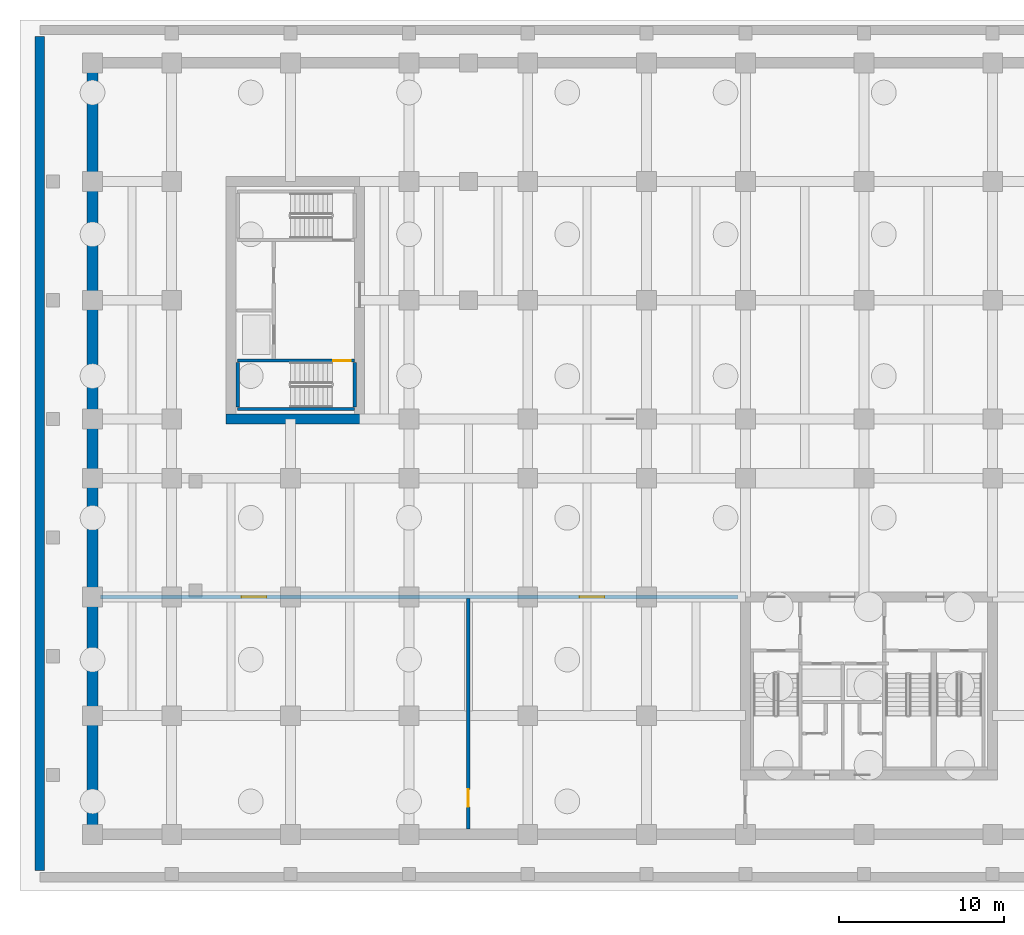
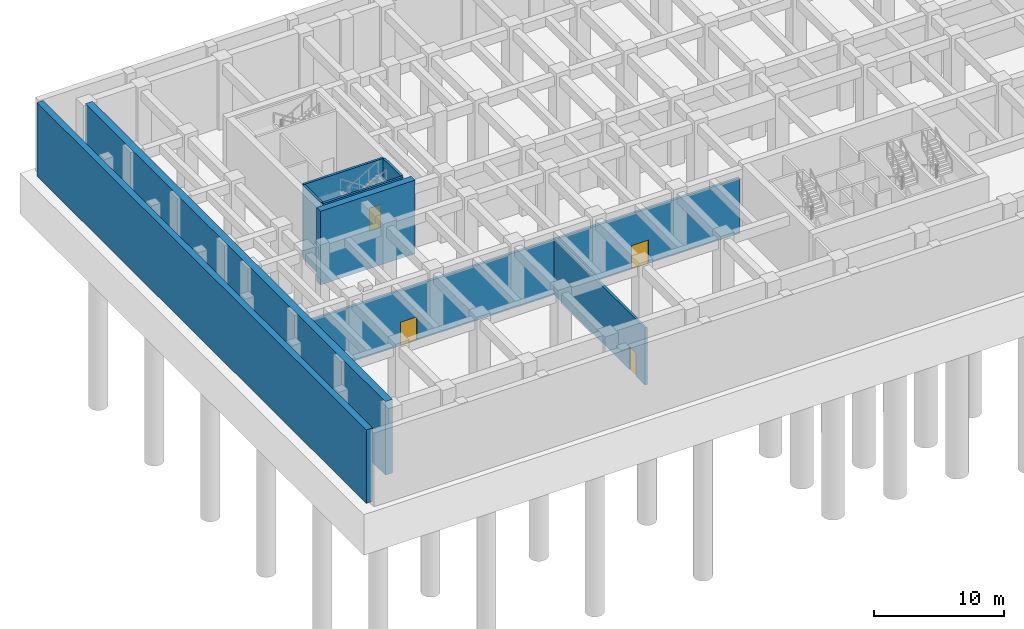
# One storey, part 4 of 13: 9 walls, 4 doors, 4 openings.
"""IFC4 building model written with IfcOpenShell, lengths in metres."""

from ifc_helpers import new_model, si_unit, derived_unit, direction, frame, frame_2d, origin, place, context, subcontext, project, spatial, rectangle, extrude, source, transform, mapped, material, layer, layer_set, type_object, type_shapes, element, fill, save


model = new_model("IFC4")

# Units and contexts
model_context = context("Model", 3, precision=1e-05, world=origin(), true_north=direction((0.0, 1.0)))
body_context = subcontext(model_context, "Body", "Model", "MODEL_VIEW")
ifc_project = project(units=[si_unit("LENGTHUNIT", "METRE"), si_unit("AREAUNIT", "SQUARE_METRE"), si_unit("VOLUMEUNIT", "CUBIC_METRE"), si_unit("PLANEANGLEUNIT", "RADIAN"), si_unit("MASSUNIT", "GRAM", prefix="KILO"), si_unit("THERMODYNAMICTEMPERATUREUNIT", "KELVIN"), si_unit("POWERUNIT", "WATT"), derived_unit("THERMALTRANSMITTANCEUNIT", [(si_unit("POWERUNIT", "WATT"), 1), (si_unit("AREAUNIT", "SQUARE_METRE"), -1), (si_unit("THERMODYNAMICTEMPERATUREUNIT", "KELVIN"), -1)])], contexts=[model_context])

# Site, building, storey
site_placement = place(None, origin())
site = spatial("IfcSite", under=ifc_project, at=site_placement, CompositionType="ELEMENT")
building_placement = place(site_placement, origin())
building = spatial("IfcBuilding", under=site, at=building_placement, Name="Zahravan Archway Hotel and Residences", CompositionType="ELEMENT")
storey_placement = place(building_placement, frame((0.0, 0.0, -13.0)))
storey = spatial("IfcBuildingStorey", under=building, at=storey_placement, Name="B02", CompositionType="ELEMENT", Elevation=-13.0)

# Walls
ifc_material_1 = material(Name="Concrete C50/60", Category="concrete")
ifc_layer_1 = layer(ifc_material_1, 0.550048828125, Name="Concrete C50/60", Category="concrete")
ifc_layer_set_1 = layer_set([ifc_layer_1], Name="Concrete C50/60")
wall_type_1 = type_object("IfcWallType", Name="BW-RET-550", PredefinedType="USERDEFINED", material=ifc_layer_set_1)
wall_1_placement = place(storey_placement, frame((-8.0, -2.199951171875, -0.39990234375), z_axis=(0.0, 0.0, 1.0), x_axis=(0.0, 1.0, 0.0)))
element("IfcWall", 1, at=wall_1_placement, inside=storey, type_object=wall_type_1, Name="B02 Forecourt Foundation Wall PW", ObjectType="RETAINING", PredefinedType="USERDEFINED", context=body_context, shape_type="SweptSolid", body=[
    extrude(rectangle(XDim=50.599853515625, YDim=0.550048828125, at=frame_2d((25.2998046875, 0.0))), origin(), (0.0, 0.0, 1.0), 6.89990234375),
])
ifc_layer_2 = layer(ifc_material_1, 0.64990234375, Name="Concrete C50/60", Category="concrete")
ifc_layer_set_2 = layer_set([ifc_layer_2], Name="Concrete C50/60")
wall_type_2 = type_object("IfcWallType", Name="BW-RET-650", PredefinedType="USERDEFINED", material=ifc_layer_set_2)
wall_2_placement = place(storey_placement, frame((-4.800048828125, 46.449951171875, -0.39990234375), z_axis=(0.0, 0.0, 1.0), x_axis=(0.0, -1.0, 0.0)))
element("IfcWall", 2, at=wall_2_placement, inside=storey, type_object=wall_type_2, Name="B02 Basement Retaining W Wall", ObjectType="RETAINING", PredefinedType="USERDEFINED", context=body_context, shape_type="SweptSolid", body=[
    extrude(rectangle(XDim=46.099853515625, YDim=0.64990234375, at=frame_2d((23.0498046875, 0.0))), origin(), (0.0, 0.0, 1.0), 6.89990234375),
])
ifc_material_2 = material(Name="Concrete C70/85", Category="concrete")
ifc_layer_3 = layer(ifc_material_2, 0.60009765625, Name="Concrete C70/85", Category="concrete")
ifc_layer_set_3 = layer_set([ifc_layer_3], Name="Concrete C70/85")
wall_type_3 = type_object("IfcWallType", Name="CW-CORE-600", PredefinedType="SHEAR", material=ifc_layer_set_3)
wall_3_placement = place(storey_placement, frame((3.300048828125, 25.199951171875, -0.39990234375), z_axis=(0.0, 0.0, 1.0), x_axis=(1.0, 0.0, 0.0)))
element("IfcWall", 3, at=wall_3_placement, inside=storey, type_object=wall_type_3, Name="B02 Core B Shear S Wall 600 mm", PredefinedType="SHEAR", context=body_context, shape_type="SweptSolid", body=[
    extrude(rectangle(XDim=8.39990234375, YDim=0.60009765625, at=frame_2d((4.199951171875, 0.0))), origin(), (0.0, 0.0, 1.0), 6.89990234375),
])

# Wall, opening, door
ifc_material_3 = material(Name="Fire-Rated Gypsum & Concrete Block", Category="concrete")
ifc_layer_4 = layer(ifc_material_3, 0.219970703125, Name="Fire-Rated Gypsum & Concrete Block", Category="concrete")
ifc_layer_set_4 = layer_set([ifc_layer_4], Name="Fire-Rated Gypsum & Concrete Block")
wall_type_4 = type_object("IfcWallType", Name="PW-COMP-220", PredefinedType="PARTITIONING", material=ifc_layer_set_4)
wall_4_placement = place(storey_placement, frame((18.0, 0.3330078125, 0.0), z_axis=(0.0, 0.0, 1.0), x_axis=(0.0, 1.0, 0.0)))
wall_4 = element("IfcWall", 4, at=wall_4_placement, inside=storey, type_object=wall_type_4, Name="B02 Partition B2-CH1", PredefinedType="PARTITIONING", context=body_context, shape_type="SweptSolid", body=[
    extrude(rectangle(XDim=13.97705078125, YDim=0.219970703125, at=frame_2d((6.988525390625, 0.0))), origin(), (0.0, 0.0, 1.0), 5.3349609375),
])
opening_1_placement = place(wall_4_placement, frame((1.342041015625, 0.0, 0.0)))
opening_1 = element("IfcOpeningElement", 5, at=opening_1_placement, cuts=wall_4, Name="Opening FD-L2", PredefinedType="OPENING", context=body_context, shape_type="SweptSolid", body=[
    extrude(rectangle(XDim=1.050048828125, YDim=2.14990234375, at=frame_2d((0.52490234375, 1.074951171875))), frame((0.0, 0.1201171875, 0.0), z_axis=(0.0, -1.0, 0.0), x_axis=(1.0, 0.0, 0.0)), (0.0, 0.0, 1.0), 0.239990234375),
])
ifc_material_4 = material(Name="Fire-Rated Painted Steel", Category="steel")
door_type_1 = type_object("IfcDoorType", Name="FD-LOBBY-1100", OperationType="NOTDEFINED", PredefinedType="DOOR", material=ifc_material_4)
shared_shape_1 = source(origin(), body_context, "Body", "SweptSolid", [
    extrude(rectangle(XDim=1.050048828125, YDim=2.14990234375, at=frame_2d((0.52490234375, 1.074951171875))), frame((0.0, 0.02490234375, 0.0), z_axis=(0.0, -1.0, 0.0), x_axis=(1.0, 0.0, 0.0)), (0.0, 0.0, 1.0), 0.050048828125),
])
type_shapes(door_type_1, [shared_shape_1])
door_1_placement = place(opening_1_placement, origin())
door_1 = element("IfcDoor", 6, at=door_1_placement, inside=storey, type_object=door_type_1, Name="B02 Plant Interconnect Door", OperationType="SINGLE_SWING_LEFT", OverallHeight=2.14990234375, OverallWidth=1.050048828125, PredefinedType="DOOR", context=body_context, shape_type="MappedRepresentation", body=[
    mapped(shared_shape_1, transform((0.0, 0.0, 0.0), scale=1.0)),
])
fill(opening_1, door_1)

# Wall, openings, doors
wall_5_placement = place(storey_placement, frame((-4.31005859375, 14.39990234375, 0.0), z_axis=(0.0, 0.0, 1.0), x_axis=(1.0, 0.0, 0.0)))
wall_5 = element("IfcWall", 7, at=wall_5_placement, inside=storey, type_object=wall_type_4, Name="B02 Partition B2-CH2", PredefinedType="PARTITIONING", context=body_context, shape_type="SweptSolid", body=[
    extrude(rectangle(XDim=38.670166015625, YDim=0.219970703125, at=frame_2d((19.3349609375, 0.0))), origin(), (0.0, 0.0, 1.0), 5.18505859375),
])
opening_2_placement = place(wall_5_placement, frame((8.56005859375, 0.0, 0.0)))
opening_2 = element("IfcOpeningElement", 8, at=opening_2_placement, cuts=wall_5, Name="Opening FD-L1", PredefinedType="OPENING", context=body_context, shape_type="SweptSolid", body=[
    extrude(rectangle(XDim=1.5, YDim=2.199951171875, at=frame_2d((0.75, 1.10009765625))), frame((0.0, 0.1201171875, 0.0), z_axis=(0.0, -1.0, 0.0), x_axis=(1.0, 0.0, 0.0)), (0.0, 0.0, 1.0), 0.239990234375),
])
opening_3_placement = place(wall_5_placement, frame((29.06005859375, 0.0, 0.0)))
opening_3 = element("IfcOpeningElement", 9, at=opening_3_placement, cuts=wall_5, Name="Opening FD-L1", PredefinedType="OPENING", context=body_context, shape_type="SweptSolid", body=[
    extrude(rectangle(XDim=1.5, YDim=2.199951171875, at=frame_2d((0.75, 1.10009765625))), frame((0.0, 0.1201171875, 0.0), z_axis=(0.0, -1.0, 0.0), x_axis=(1.0, 0.0, 0.0)), (0.0, 0.0, 1.0), 0.239990234375),
])
door_type_2 = type_object("IfcDoorType", Name="FD-LOBBY-1500", OperationType="DOUBLE_DOOR_SINGLE_SWING", PredefinedType="DOOR", material=ifc_material_4)
shared_shape_2 = source(origin(), body_context, "Body", "SweptSolid", [
    extrude(rectangle(XDim=1.5, YDim=2.199951171875, at=frame_2d((0.75, 1.10009765625))), frame((0.0, 0.02490234375, 0.0), z_axis=(0.0, -1.0, 0.0), x_axis=(1.0, 0.0, 0.0)), (0.0, 0.0, 1.0), 0.050048828125),
])
type_shapes(door_type_2, [shared_shape_2])
door_2_placement = place(opening_2_placement, origin())
door_2 = element("IfcDoor", 10, at=door_2_placement, inside=storey, type_object=door_type_2, Name="B02 Chiller Plant Door", OperationType="DOUBLE_DOOR_SINGLE_SWING", OverallHeight=2.199951171875, OverallWidth=1.5, PredefinedType="DOOR", context=body_context, shape_type="MappedRepresentation", body=[
    mapped(shared_shape_2, transform((0.0, 0.0, 0.0), scale=1.0)),
])
fill(opening_2, door_2)
door_3_placement = place(opening_3_placement, origin())
door_3 = element("IfcDoor", 11, at=door_3_placement, inside=storey, type_object=door_type_2, Name="B02 Pump Plant Door", OperationType="DOUBLE_DOOR_SINGLE_SWING", OverallHeight=2.199951171875, OverallWidth=1.5, PredefinedType="DOOR", context=body_context, shape_type="MappedRepresentation", body=[
    mapped(shared_shape_2, transform((0.0, 0.0, 0.0), scale=1.0)),
])
fill(opening_3, door_3)

# Walls
ifc_layer_5 = layer(ifc_material_1, 0.199951171875, Name="Concrete C50/60", Category="concrete")
ifc_layer_set_5 = layer_set([ifc_layer_5], Name="Concrete C50/60")
wall_type_5 = type_object("IfcWallType", Name="SW-STAIR-200", PredefinedType="SHEAR", material=ifc_layer_set_5)
wall_6_placement = place(storey_placement, frame((4.0, 25.800048828125, -0.39990234375), z_axis=(0.0, 0.0, 1.0), x_axis=(1.0, 0.0, 0.0)))
element("IfcWall", 12, at=wall_6_placement, inside=storey, type_object=wall_type_5, Name="B02 Stairwell RC Wall CB-SB1S", PredefinedType="SHEAR", context=body_context, shape_type="SweptSolid", body=[
    extrude(rectangle(XDim=7.10009765625, YDim=0.199951171875, at=frame_2d((3.550048828125, 0.0))), origin(), (0.0, 0.0, 1.0), 6.89990234375),
])
for number, where, z_axis, x_axis, name in (
    (13, (4.0, 25.919921875, -0.39990234375), (0.0, 0.0, 1.0), (0.0, 1.0, 0.0), "B02 Stairwell RC Wall CB-SB1W"),
    (14, (11.10009765625, 25.919921875, -0.39990234375), (0.0, 0.0, 1.0), (0.0, 1.0, 0.0), "B02 Stairwell RC Wall CB-SB1E"),
):
    element("IfcWall", number, at=place(storey_placement, frame(where, z_axis=z_axis, x_axis=x_axis)), inside=storey, type_object=wall_type_5, Name=name, PredefinedType="SHEAR", context=body_context, shape_type="SweptSolid", body=[
        extrude(rectangle(XDim=2.7001953125, YDim=0.199951171875, at=frame_2d((1.35009765625, 0.0))), origin(), (0.0, 0.0, 1.0), 6.89990234375),
    ])

# Wall, opening, door
wall_7_placement = place(storey_placement, frame((4.0, 28.739990234375, -0.39990234375), z_axis=(0.0, 0.0, 1.0), x_axis=(1.0, 0.0, 0.0)))
wall_7 = element("IfcWall", 15, at=wall_7_placement, inside=storey, type_object=wall_type_5, Name="B02 Stairwell RC Wall CB-SB1N", PredefinedType="SHEAR", context=body_context, shape_type="SweptSolid", body=[
    extrude(rectangle(XDim=7.10009765625, YDim=0.199951171875, at=frame_2d((3.550048828125, 0.0))), origin(), (0.0, 0.0, 1.0), 6.89990234375),
])
opening_4_placement = place(wall_7_placement, frame((5.81494140625, 0.0, 0.39990234375)))
opening_4 = element("IfcOpeningElement", 16, at=opening_4_placement, cuts=wall_7, Name="Opening FD-S1", PredefinedType="OPENING", context=body_context, shape_type="SweptSolid", body=[
    extrude(rectangle(XDim=1.050048828125, YDim=2.199951171875, at=frame_2d((0.52490234375, 1.10009765625))), frame((0.0, 0.10986328125, 0.0), z_axis=(0.0, -1.0, 0.0), x_axis=(1.0, 0.0, 0.0)), (0.0, 0.0, 1.0), 0.219970703125),
])
door_type_3 = type_object("IfcDoorType", Name="FD-STAIR-1100", OperationType="NOTDEFINED", PredefinedType="DOOR", material=ifc_material_4)
shared_shape_3 = source(origin(), body_context, "Body", "SweptSolid", [
    extrude(rectangle(XDim=1.050048828125, YDim=2.199951171875, at=frame_2d((0.52490234375, 1.10009765625))), frame((0.0, 0.02490234375, 0.0), z_axis=(0.0, -1.0, 0.0), x_axis=(1.0, 0.0, 0.0)), (0.0, 0.0, 1.0), 0.050048828125),
])
type_shapes(door_type_3, [shared_shape_3])
door_4_placement = place(opening_4_placement, origin())
door_4 = element("IfcDoor", 17, at=door_4_placement, inside=storey, type_object=door_type_3, Name="B02 Stair ST-B1 Door", OperationType="SINGLE_SWING_LEFT", OverallHeight=2.199951171875, OverallWidth=1.050048828125, PredefinedType="DOOR", context=body_context, shape_type="MappedRepresentation", body=[
    mapped(shared_shape_3, transform((0.0, 0.0, 0.0), scale=1.0)),
])
fill(opening_4, door_4)

save(model, "model.ifc")
